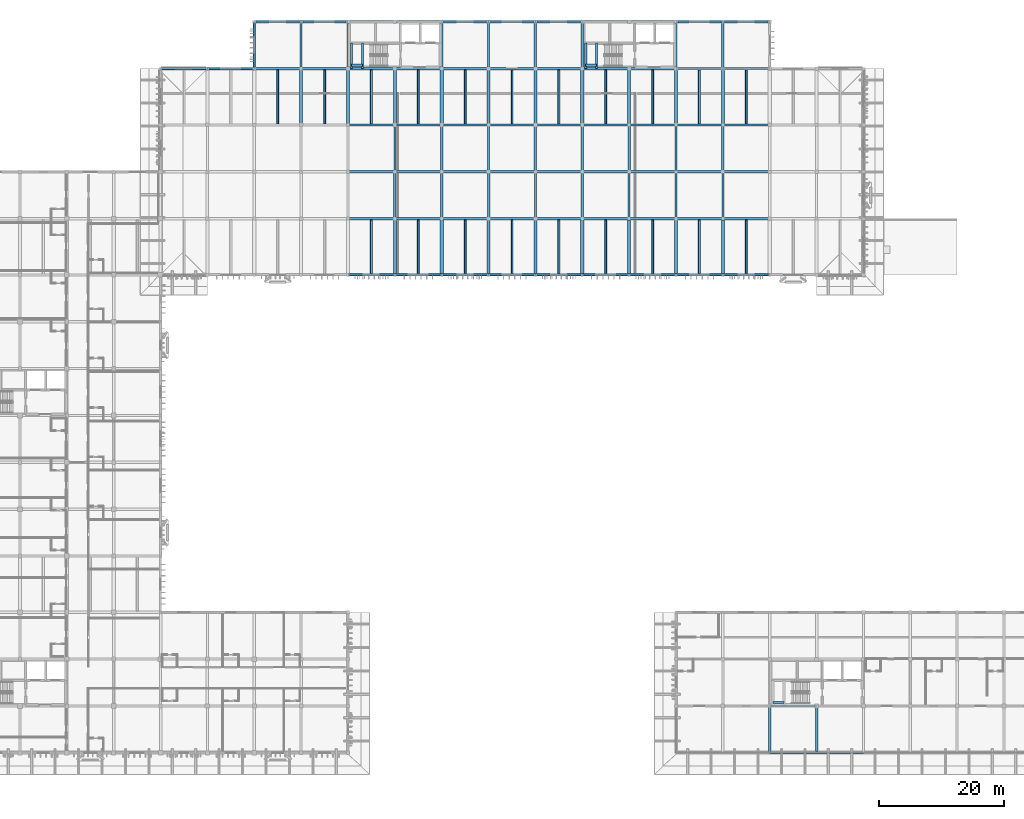
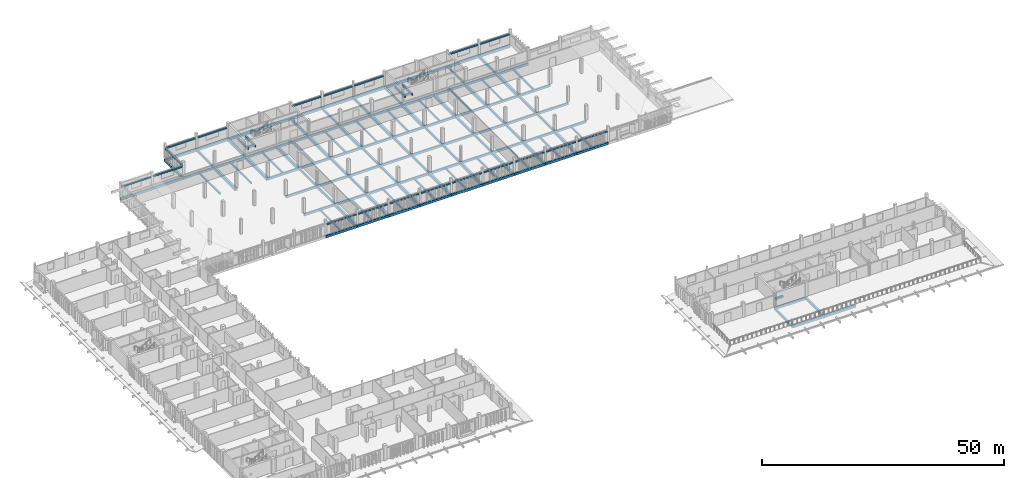
# One storey, part 9 of 43: 154 beams.
"""IFC4 building model written with IfcOpenShell, lengths in metres."""

from ifc_helpers import new_model, si_unit, direction, frame, origin, origin_2d, place, context, subcontext, project, spatial, rectangle, extrude, material, material_profile, profile_set, type_object, element, save


model = new_model("IFC4")

# Units and contexts
model_context = context("Model", 3, precision=1e-05, world=origin(), true_north=direction((0.0, 1.0)))
body_context = subcontext(model_context, "Body", "Model", "MODEL_VIEW")
ifc_project = project(units=[si_unit("LENGTHUNIT", "METRE"), si_unit("AREAUNIT", "SQUARE_METRE"), si_unit("VOLUMEUNIT", "CUBIC_METRE"), si_unit("PLANEANGLEUNIT", "RADIAN"), si_unit("MASSUNIT", "GRAM", prefix="KILO")], contexts=[model_context])

# Site, building, storey
site_placement = place(None, origin())
site = spatial("IfcSite", under=ifc_project, at=site_placement, CompositionType="ELEMENT")
building_placement = place(site_placement, origin())
building = spatial("IfcBuilding", under=site, at=building_placement, Name="Dalvernix Boulevard General Hospital", CompositionType="ELEMENT")
storey_placement = place(building_placement, frame((0.0, 0.0, 14.10009765625)))
storey = spatial("IfcBuildingStorey", under=building, at=storey_placement, Name="L03", CompositionType="ELEMENT", Elevation=14.10009765625)

# Beams
ifc_material_1 = material(Name="Concrete C35/45", Category="concrete")
ifc_material_profile_1 = material_profile(ifc_material_1, rectangle(XDim=0.5, YDim=0.699951171875, at=origin_2d()), Name="RCB 500x700")
ifc_profile_set_1 = profile_set([ifc_material_profile_1], Name="Concrete C35/45")
beam_type_1 = type_object("IfcBeamType", Name="BM-B-01-I", PredefinedType="BEAM", material=ifc_profile_set_1)
for number, where, z_axis, x_axis, name in (
    (1, (52.5, 100.5, -0.60009765625), (0.0, 1.0, 0.0), (-1.0, 0.0, 0.0), "L03 N-S girder 8:P-Q"),
    (2, (60.0, 100.5, -0.60009765625), (0.0, 1.0, 0.0), (-1.0, 0.0, 0.0), "L03 N-S girder 9:P-Q"),
    (3, (67.5, 76.5, -0.60009765625), (0.0, 1.0, 0.0), (-1.0, 0.0, 0.0), "L03 N-S girder 10:L-M"),
    (4, (67.5, 100.5, -0.60009765625), (0.0, 1.0, 0.0), (-1.0, 0.0, 0.0), "L03 N-S girder 10:P-Q"),
    (5, (75.0, 76.5, -0.60009765625), (0.0, 1.0, 0.0), (-1.0, 0.0, 0.0), "L03 N-S girder 11:L-M"),
    (6, (75.0, 100.5, -0.60009765625), (0.0, 1.0, 0.0), (-1.0, 0.0, 0.0), "L03 N-S girder 11:P-Q"),
    (7, (82.5, 76.5, -0.60009765625), (0.0, 1.0, 0.0), (-1.0, 0.0, 0.0), "L03 N-S girder 12:L-M"),
    (8, (82.5, 100.5, -0.60009765625), (0.0, 1.0, 0.0), (-1.0, 0.0, 0.0), "L03 N-S girder 12:P-Q"),
    (9, (90.0, 76.5, -0.60009765625), (0.0, 1.0, 0.0), (-1.0, 0.0, 0.0), "L03 N-S girder 13:L-M"),
    (10, (90.0, 100.5, -0.60009765625), (0.0, 1.0, 0.0), (-1.0, 0.0, 0.0), "L03 N-S girder 13:P-Q"),
    (11, (97.5, 76.5, -0.60009765625), (0.0, 1.0, 0.0), (-1.0, 0.0, 0.0), "L03 N-S girder 14:L-M"),
    (12, (97.5, 100.5, -0.60009765625), (0.0, 1.0, 0.0), (-1.0, 0.0, 0.0), "L03 N-S girder 14:P-Q"),
    (13, (105.0, 76.5, -0.60009765625), (0.0, 1.0, 0.0), (-1.0, 0.0, 0.0), "L03 N-S girder 15:L-M"),
    (14, (105.0, 100.5, -0.60009765625), (0.0, 1.0, 0.0), (-1.0, 0.0, 0.0), "L03 N-S girder 15:P-Q"),
    (15, (112.5, 76.5, -0.60009765625), (0.0, 1.0, 0.0), (-1.0, 0.0, 0.0), "L03 N-S girder 16:L-M"),
    (16, (112.5, 100.5, -0.60009765625), (0.0, 1.0, 0.0), (-1.0, 0.0, 0.0), "L03 N-S girder 16:P-Q"),
    (17, (120.0, 76.5, -0.60009765625), (0.0, 1.0, 0.0), (-1.0, 0.0, 0.0), "L03 N-S girder 17:L-M"),
    (18, (120.0, 100.5, -0.60009765625), (0.0, 1.0, 0.0), (-1.0, 0.0, 0.0), "L03 N-S girder 17:P-Q"),
):
    element("IfcBeam", number, at=place(storey_placement, frame(where, z_axis=z_axis, x_axis=x_axis)), inside=storey, type_object=beam_type_1, Name=name, PredefinedType="BEAM", context=body_context, shape_type="SweptSolid", body=[
        extrude(rectangle(XDim=0.5, YDim=0.699951171875, at=origin_2d()), origin(), (0.0, 0.0, 1.0), 9.0),
    ])
ifc_material_profile_2 = material_profile(ifc_material_1, rectangle(XDim=0.39990234375, YDim=0.550048828125, at=origin_2d()), Name="RCB 400x550")
ifc_profile_set_2 = profile_set([ifc_material_profile_2], Name="Concrete C35/45")
beam_type_2 = type_object("IfcBeamType", Name="BM-B-06-I", PredefinedType="BEAM", material=ifc_profile_set_2)
for number, where, z_axis, x_axis, name in (
    (19, (60.0, 109.5, -0.525146484375), (0.0, 1.0, 0.0), (-1.0, 0.0, 0.0), "L03 N-S girder 9:Q-R"),
    (20, (67.5, 85.5, -0.525146484375), (0.0, 1.0, 0.0), (-1.0, 0.0, 0.0), "L03 N-S girder 10:M-N"),
    (21, (75.0, 93.0, -0.525146484375), (0.0, 1.0, 0.0), (-1.0, 0.0, 0.0), "L03 N-S girder 11:N-P"),
    (22, (75.0, 109.5, -0.525146484375), (0.0, 1.0, 0.0), (-1.0, 0.0, 0.0), "L03 N-S girder 11:Q-R"),
    (23, (82.5, 85.5, -0.525146484375), (0.0, 1.0, 0.0), (-1.0, 0.0, 0.0), "L03 N-S girder 12:M-N"),
    (24, (90.0, 93.0, -0.525146484375), (0.0, 1.0, 0.0), (-1.0, 0.0, 0.0), "L03 N-S girder 13:N-P"),
    (25, (90.0, 109.5, -0.525146484375), (0.0, 1.0, 0.0), (-1.0, 0.0, 0.0), "L03 N-S girder 13:Q-R"),
    (26, (97.5, 85.5, -0.525146484375), (0.0, 1.0, 0.0), (-1.0, 0.0, 0.0), "L03 N-S girder 14:M-N"),
    (27, (105.0, 93.0, -0.525146484375), (0.0, 1.0, 0.0), (-1.0, 0.0, 0.0), "L03 N-S girder 15:N-P"),
    (28, (112.5, 85.5, -0.525146484375), (0.0, 1.0, 0.0), (-1.0, 0.0, 0.0), "L03 N-S girder 16:M-N"),
    (29, (120.0, 93.0, -0.525146484375), (0.0, 1.0, 0.0), (-1.0, 0.0, 0.0), "L03 N-S girder 17:N-P"),
    (30, (120.0, 109.5, -0.525146484375), (0.0, 1.0, 0.0), (-1.0, 0.0, 0.0), "L03 N-S girder 17:Q-R"),
    (31, (135.0, 0.0, -0.525146484375), (0.0, 1.0, 0.0), (-1.0, 0.0, 0.0), "L03 N-S girder 19:A-B"),
):
    element("IfcBeam", number, at=place(storey_placement, frame(where, z_axis=z_axis, x_axis=x_axis)), inside=storey, type_object=beam_type_2, Name=name, PredefinedType="BEAM", context=body_context, shape_type="SweptSolid", body=[
        extrude(rectangle(XDim=0.39990234375, YDim=0.550048828125, at=origin_2d()), origin(), (0.0, 0.0, 1.0), 7.5),
    ])
ifc_material_profile_3 = material_profile(ifc_material_1, rectangle(XDim=0.35009765625, YDim=0.550048828125, at=origin_2d()), Name="RCB 350x550")
ifc_profile_set_3 = profile_set([ifc_material_profile_3], Name="Concrete C35/45")
beam_type_3 = type_object("IfcBeamType", Name="BM-B-07-I", PredefinedType="BEAM", material=ifc_profile_set_3)
for number, where, z_axis, x_axis, name in (
    (32, (127.5, 7.5, -0.525146484375), (1.0, 0.0, 0.0), (0.0, 1.0, 0.0), "L03 E-W girder B:18-19"),
    (33, (60.0, 85.5, -0.525146484375), (1.0, 0.0, 0.0), (0.0, 1.0, 0.0), "L03 E-W girder M:9-10"),
    (34, (67.5, 85.5, -0.525146484375), (1.0, 0.0, 0.0), (0.0, 1.0, 0.0), "L03 E-W girder M:10-11"),
    (35, (75.0, 85.5, -0.525146484375), (1.0, 0.0, 0.0), (0.0, 1.0, 0.0), "L03 E-W girder M:11-12"),
    (36, (82.5, 85.5, -0.525146484375), (1.0, 0.0, 0.0), (0.0, 1.0, 0.0), "L03 E-W girder M:12-13"),
    (37, (90.0, 85.5, -0.525146484375), (1.0, 0.0, 0.0), (0.0, 1.0, 0.0), "L03 E-W girder M:13-14"),
    (38, (97.5, 85.5, -0.525146484375), (1.0, 0.0, 0.0), (0.0, 1.0, 0.0), "L03 E-W girder M:14-15"),
    (39, (105.0, 85.5, -0.525146484375), (1.0, 0.0, 0.0), (0.0, 1.0, 0.0), "L03 E-W girder M:15-16"),
    (40, (112.5, 85.5, -0.525146484375), (1.0, 0.0, 0.0), (0.0, 1.0, 0.0), "L03 E-W girder M:16-17"),
    (41, (120.0, 85.5, -0.525146484375), (1.0, 0.0, 0.0), (0.0, 1.0, 0.0), "L03 E-W girder M:17-18"),
    (42, (60.0, 93.0, -0.525146484375), (1.0, 0.0, 0.0), (0.0, 1.0, 0.0), "L03 E-W girder N:9-10"),
    (43, (67.5, 93.0, -0.525146484375), (1.0, 0.0, 0.0), (0.0, 1.0, 0.0), "L03 E-W girder N:10-11"),
    (44, (75.0, 93.0, -0.525146484375), (1.0, 0.0, 0.0), (0.0, 1.0, 0.0), "L03 E-W girder N:11-12"),
    (45, (82.5, 93.0, -0.525146484375), (1.0, 0.0, 0.0), (0.0, 1.0, 0.0), "L03 E-W girder N:12-13"),
    (46, (90.0, 93.0, -0.525146484375), (1.0, 0.0, 0.0), (0.0, 1.0, 0.0), "L03 E-W girder N:13-14"),
    (47, (97.5, 93.0, -0.525146484375), (1.0, 0.0, 0.0), (0.0, 1.0, 0.0), "L03 E-W girder N:14-15"),
    (48, (105.0, 93.0, -0.525146484375), (1.0, 0.0, 0.0), (0.0, 1.0, 0.0), "L03 E-W girder N:15-16"),
    (49, (112.5, 93.0, -0.525146484375), (1.0, 0.0, 0.0), (0.0, 1.0, 0.0), "L03 E-W girder N:16-17"),
    (50, (120.0, 93.0, -0.525146484375), (1.0, 0.0, 0.0), (0.0, 1.0, 0.0), "L03 E-W girder N:17-18"),
    (51, (60.0, 100.5, -0.525146484375), (1.0, 0.0, 0.0), (0.0, 1.0, 0.0), "L03 E-W girder P:9-10"),
    (52, (67.5, 100.5, -0.525146484375), (1.0, 0.0, 0.0), (0.0, 1.0, 0.0), "L03 E-W girder P:10-11"),
    (53, (75.0, 100.5, -0.525146484375), (1.0, 0.0, 0.0), (0.0, 1.0, 0.0), "L03 E-W girder P:11-12"),
    (54, (82.5, 100.5, -0.525146484375), (1.0, 0.0, 0.0), (0.0, 1.0, 0.0), "L03 E-W girder P:12-13"),
    (55, (90.0, 100.5, -0.525146484375), (1.0, 0.0, 0.0), (0.0, 1.0, 0.0), "L03 E-W girder P:13-14"),
    (56, (97.5, 100.5, -0.525146484375), (1.0, 0.0, 0.0), (0.0, 1.0, 0.0), "L03 E-W girder P:14-15"),
    (57, (105.0, 100.5, -0.525146484375), (1.0, 0.0, 0.0), (0.0, 1.0, 0.0), "L03 E-W girder P:15-16"),
    (58, (112.5, 100.5, -0.525146484375), (1.0, 0.0, 0.0), (0.0, 1.0, 0.0), "L03 E-W girder P:16-17"),
    (59, (120.0, 100.5, -0.525146484375), (1.0, 0.0, 0.0), (0.0, 1.0, 0.0), "L03 E-W girder P:17-18"),
    (60, (45.0, 109.5, -0.525146484375), (1.0, 0.0, 0.0), (0.0, 1.0, 0.0), "L03 E-W girder Q:7-8"),
    (61, (52.5, 109.5, -0.525146484375), (1.0, 0.0, 0.0), (0.0, 1.0, 0.0), "L03 E-W girder Q:8-9"),
    (62, (60.0, 109.5, -0.525146484375), (1.0, 0.0, 0.0), (0.0, 1.0, 0.0), "L03 E-W girder Q:9-10"),
    (63, (67.5, 109.5, -0.525146484375), (1.0, 0.0, 0.0), (0.0, 1.0, 0.0), "L03 E-W girder Q:10-11"),
    (64, (75.0, 109.5, -0.525146484375), (1.0, 0.0, 0.0), (0.0, 1.0, 0.0), "L03 E-W girder Q:11-12"),
    (65, (82.5, 109.5, -0.525146484375), (1.0, 0.0, 0.0), (0.0, 1.0, 0.0), "L03 E-W girder Q:12-13"),
    (66, (90.0, 109.5, -0.525146484375), (1.0, 0.0, 0.0), (0.0, 1.0, 0.0), "L03 E-W girder Q:13-14"),
    (67, (97.5, 109.5, -0.525146484375), (1.0, 0.0, 0.0), (0.0, 1.0, 0.0), "L03 E-W girder Q:14-15"),
    (68, (105.0, 109.5, -0.525146484375), (1.0, 0.0, 0.0), (0.0, 1.0, 0.0), "L03 E-W girder Q:15-16"),
    (69, (112.5, 109.5, -0.525146484375), (1.0, 0.0, 0.0), (0.0, 1.0, 0.0), "L03 E-W girder Q:16-17"),
    (70, (120.0, 109.5, -0.525146484375), (1.0, 0.0, 0.0), (0.0, 1.0, 0.0), "L03 E-W girder Q:17-18"),
):
    element("IfcBeam", number, at=place(storey_placement, frame(where, z_axis=z_axis, x_axis=x_axis)), inside=storey, type_object=beam_type_3, Name=name, PredefinedType="BEAM", context=body_context, shape_type="SweptSolid", body=[
        extrude(rectangle(XDim=0.35009765625, YDim=0.550048828125, at=origin_2d()), origin(), (0.0, 0.0, 1.0), 7.5),
    ])
ifc_material_profile_4 = material_profile(ifc_material_1, rectangle(XDim=0.35009765625, YDim=0.5, at=origin_2d()), Name="RCB 350x500")
ifc_profile_set_4 = profile_set([ifc_material_profile_4], Name="Concrete C35/45")
beam_type_4 = type_object("IfcBeamType", Name="BM-B-08", PredefinedType="BEAM", material=ifc_profile_set_4)
for number, where, z_axis, x_axis, name in (
    (71, (60.550048828125, 109.5, 1.4248046875), (0.0, 1.0, 0.0), (-1.0, 0.0, 0.0), "L03 C3 stair half-landing beam 1"),
    (72, (62.300048828125, 109.5, 1.4248046875), (0.0, 1.0, 0.0), (-1.0, 0.0, 0.0), "L03 C3 stair half-landing beam 2"),
):
    element("IfcBeam", number, at=place(storey_placement, frame(where, z_axis=z_axis, x_axis=x_axis)), inside=storey, type_object=beam_type_4, Name=name, PredefinedType="BEAM", context=body_context, shape_type="SweptSolid", body=[
        extrude(rectangle(XDim=0.35009765625, YDim=0.5, at=origin_2d()), origin(), (0.0, 0.0, 1.0), 4.10009765625),
    ])
beam_1_placement = place(storey_placement, frame((60.550048828125, 110.050048828125, 1.4248046875), z_axis=(1.0, 0.0, 0.0), x_axis=(0.0, 1.0, 0.0)))
element("IfcBeam", 73, at=beam_1_placement, inside=storey, type_object=beam_type_4, Name="L03 C3 stair half-landing tie beam", PredefinedType="BEAM", context=body_context, shape_type="SweptSolid", body=[
    extrude(rectangle(XDim=0.35009765625, YDim=0.5, at=origin_2d()), origin(), (0.0, 0.0, 1.0), 1.75),
])
for number, where, z_axis, x_axis, name in (
    (74, (98.050048828125, 109.5, 1.4248046875), (0.0, 1.0, 0.0), (-1.0, 0.0, 0.0), "L03 C4 stair half-landing beam 1"),
    (75, (99.800048828125, 109.5, 1.4248046875), (0.0, 1.0, 0.0), (-1.0, 0.0, 0.0), "L03 C4 stair half-landing beam 2"),
):
    element("IfcBeam", number, at=place(storey_placement, frame(where, z_axis=z_axis, x_axis=x_axis)), inside=storey, type_object=beam_type_4, Name=name, PredefinedType="BEAM", context=body_context, shape_type="SweptSolid", body=[
        extrude(rectangle(XDim=0.35009765625, YDim=0.5, at=origin_2d()), origin(), (0.0, 0.0, 1.0), 4.10009765625),
    ])
for number, where, z_axis, x_axis, name in (
    (76, (98.050048828125, 110.050048828125, 1.4248046875), (1.0, 0.0, 0.0), (0.0, 1.0, 0.0), "L03 C4 stair half-landing tie beam"),
    (77, (128.050048828125, 8.050048828125, 1.4248046875), (1.0, 0.0, 0.0), (0.0, 1.0, 0.0), "L03 C5 stair half-landing tie beam"),
):
    element("IfcBeam", number, at=place(storey_placement, frame(where, z_axis=z_axis, x_axis=x_axis)), inside=storey, type_object=beam_type_4, Name=name, PredefinedType="BEAM", context=body_context, shape_type="SweptSolid", body=[
        extrude(rectangle(XDim=0.35009765625, YDim=0.5, at=origin_2d()), origin(), (0.0, 0.0, 1.0), 1.75),
    ])
ifc_material_profile_5 = material_profile(ifc_material_1, rectangle(XDim=0.35009765625, YDim=0.5, at=origin_2d()), Name="RCB 350x500")
ifc_profile_set_5 = profile_set([ifc_material_profile_5], Name="Concrete C35/45")
beam_type_5 = type_object("IfcBeamType", Name="BM-B-08-I", PredefinedType="BEAM", material=ifc_profile_set_5)
for number, where, z_axis, x_axis, name in (
    (78, (52.5, 109.5, -0.5), (0.0, 1.0, 0.0), (-1.0, 0.0, 0.0), "L03 N-S girder 8:Q-R"),
    (79, (67.5, 93.0, -0.5), (0.0, 1.0, 0.0), (-1.0, 0.0, 0.0), "L03 N-S girder 10:N-P"),
    (80, (75.0, 85.5, -0.5), (0.0, 1.0, 0.0), (-1.0, 0.0, 0.0), "L03 N-S girder 11:M-N"),
    (81, (82.5, 93.0, -0.5), (0.0, 1.0, 0.0), (-1.0, 0.0, 0.0), "L03 N-S girder 12:N-P"),
    (82, (82.5, 109.5, -0.5), (0.0, 1.0, 0.0), (-1.0, 0.0, 0.0), "L03 N-S girder 12:Q-R"),
    (83, (90.0, 85.5, -0.5), (0.0, 1.0, 0.0), (-1.0, 0.0, 0.0), "L03 N-S girder 13:M-N"),
    (84, (97.5, 93.0, -0.5), (0.0, 1.0, 0.0), (-1.0, 0.0, 0.0), "L03 N-S girder 14:N-P"),
    (85, (97.5, 109.5, -0.5), (0.0, 1.0, 0.0), (-1.0, 0.0, 0.0), "L03 N-S girder 14:Q-R"),
    (86, (105.0, 85.5, -0.5), (0.0, 1.0, 0.0), (-1.0, 0.0, 0.0), "L03 N-S girder 15:M-N"),
    (87, (112.5, 93.0, -0.5), (0.0, 1.0, 0.0), (-1.0, 0.0, 0.0), "L03 N-S girder 16:N-P"),
    (88, (112.5, 109.5, -0.5), (0.0, 1.0, 0.0), (-1.0, 0.0, 0.0), "L03 N-S girder 16:Q-R"),
    (89, (120.0, 85.5, -0.5), (0.0, 1.0, 0.0), (-1.0, 0.0, 0.0), "L03 N-S girder 17:M-N"),
    (90, (127.5, 0.0, -0.5), (0.0, 1.0, 0.0), (-1.0, 0.0, 0.0), "L03 N-S girder 18:A-B"),
):
    element("IfcBeam", number, at=place(storey_placement, frame(where, z_axis=z_axis, x_axis=x_axis)), inside=storey, type_object=beam_type_5, Name=name, PredefinedType="BEAM", context=body_context, shape_type="SweptSolid", body=[
        extrude(rectangle(XDim=0.35009765625, YDim=0.5, at=origin_2d()), origin(), (0.0, 0.0, 1.0), 7.5),
    ])
ifc_material_profile_6 = material_profile(ifc_material_1, rectangle(XDim=0.300048828125, YDim=0.39990234375, at=origin_2d()), Name="RCB 300x400")
ifc_profile_set_6 = profile_set([ifc_material_profile_6], Name="Concrete C35/45")
beam_type_6 = type_object("IfcBeamType", Name="BM-JB-01", PredefinedType="JOIST", material=ifc_profile_set_6)
for number, where, z_axis, x_axis, name in (
    (91, (48.75, 100.675048828125, -0.4501953125), (0.0, 1.0, 0.0), (-1.0, 0.0, 0.0), "L03 secondary floor beam 7-P"),
    (92, (56.25, 100.675048828125, -0.4501953125), (0.0, 1.0, 0.0), (-1.0, 0.0, 0.0), "L03 secondary floor beam 8-P"),
):
    element("IfcBeam", number, at=place(storey_placement, frame(where, z_axis=z_axis, x_axis=x_axis)), inside=storey, type_object=beam_type_6, Name=name, PredefinedType="JOIST", context=body_context, shape_type="SweptSolid", body=[
        extrude(rectangle(XDim=0.300048828125, YDim=0.39990234375, at=origin_2d()), origin(), (0.0, 0.0, 1.0), 8.64990234375),
    ])
beam_2_placement = place(storey_placement, frame((63.75, 76.699951171875, -0.4501953125), z_axis=(0.0, 1.0, 0.0), x_axis=(-1.0, 0.0, 0.0)))
element("IfcBeam", 93, at=beam_2_placement, inside=storey, type_object=beam_type_6, Name="L03 secondary floor beam 9-L", PredefinedType="JOIST", context=body_context, shape_type="SweptSolid", body=[
    extrude(rectangle(XDim=0.300048828125, YDim=0.39990234375, at=origin_2d()), origin(), (0.0, 0.0, 1.0), 8.625),
])
beam_3_placement = place(storey_placement, frame((63.75, 100.675048828125, -0.4501953125), z_axis=(0.0, 1.0, 0.0), x_axis=(-1.0, 0.0, 0.0)))
element("IfcBeam", 94, at=beam_3_placement, inside=storey, type_object=beam_type_6, Name="L03 secondary floor beam 9-P", PredefinedType="JOIST", context=body_context, shape_type="SweptSolid", body=[
    extrude(rectangle(XDim=0.300048828125, YDim=0.39990234375, at=origin_2d()), origin(), (0.0, 0.0, 1.0), 8.64990234375),
])
beam_4_placement = place(storey_placement, frame((71.25, 76.699951171875, -0.4501953125), z_axis=(0.0, 1.0, 0.0), x_axis=(-1.0, 0.0, 0.0)))
element("IfcBeam", 95, at=beam_4_placement, inside=storey, type_object=beam_type_6, Name="L03 secondary floor beam 10-L", PredefinedType="JOIST", context=body_context, shape_type="SweptSolid", body=[
    extrude(rectangle(XDim=0.300048828125, YDim=0.39990234375, at=origin_2d()), origin(), (0.0, 0.0, 1.0), 8.625),
])
beam_5_placement = place(storey_placement, frame((71.25, 100.675048828125, -0.4501953125), z_axis=(0.0, 1.0, 0.0), x_axis=(-1.0, 0.0, 0.0)))
element("IfcBeam", 96, at=beam_5_placement, inside=storey, type_object=beam_type_6, Name="L03 secondary floor beam 10-P", PredefinedType="JOIST", context=body_context, shape_type="SweptSolid", body=[
    extrude(rectangle(XDim=0.300048828125, YDim=0.39990234375, at=origin_2d()), origin(), (0.0, 0.0, 1.0), 8.64990234375),
])
beam_6_placement = place(storey_placement, frame((78.75, 76.699951171875, -0.4501953125), z_axis=(0.0, 1.0, 0.0), x_axis=(-1.0, 0.0, 0.0)))
element("IfcBeam", 97, at=beam_6_placement, inside=storey, type_object=beam_type_6, Name="L03 secondary floor beam 11-L", PredefinedType="JOIST", context=body_context, shape_type="SweptSolid", body=[
    extrude(rectangle(XDim=0.300048828125, YDim=0.39990234375, at=origin_2d()), origin(), (0.0, 0.0, 1.0), 8.625),
])
beam_7_placement = place(storey_placement, frame((78.75, 100.675048828125, -0.4501953125), z_axis=(0.0, 1.0, 0.0), x_axis=(-1.0, 0.0, 0.0)))
element("IfcBeam", 98, at=beam_7_placement, inside=storey, type_object=beam_type_6, Name="L03 secondary floor beam 11-P", PredefinedType="JOIST", context=body_context, shape_type="SweptSolid", body=[
    extrude(rectangle(XDim=0.300048828125, YDim=0.39990234375, at=origin_2d()), origin(), (0.0, 0.0, 1.0), 8.64990234375),
])
beam_8_placement = place(storey_placement, frame((86.25, 76.699951171875, -0.4501953125), z_axis=(0.0, 1.0, 0.0), x_axis=(-1.0, 0.0, 0.0)))
element("IfcBeam", 99, at=beam_8_placement, inside=storey, type_object=beam_type_6, Name="L03 secondary floor beam 12-L", PredefinedType="JOIST", context=body_context, shape_type="SweptSolid", body=[
    extrude(rectangle(XDim=0.300048828125, YDim=0.39990234375, at=origin_2d()), origin(), (0.0, 0.0, 1.0), 8.625),
])
beam_9_placement = place(storey_placement, frame((86.25, 100.675048828125, -0.4501953125), z_axis=(0.0, 1.0, 0.0), x_axis=(-1.0, 0.0, 0.0)))
element("IfcBeam", 100, at=beam_9_placement, inside=storey, type_object=beam_type_6, Name="L03 secondary floor beam 12-P", PredefinedType="JOIST", context=body_context, shape_type="SweptSolid", body=[
    extrude(rectangle(XDim=0.300048828125, YDim=0.39990234375, at=origin_2d()), origin(), (0.0, 0.0, 1.0), 8.64990234375),
])
beam_10_placement = place(storey_placement, frame((93.75, 76.699951171875, -0.4501953125), z_axis=(0.0, 1.0, 0.0), x_axis=(-1.0, 0.0, 0.0)))
element("IfcBeam", 101, at=beam_10_placement, inside=storey, type_object=beam_type_6, Name="L03 secondary floor beam 13-L", PredefinedType="JOIST", context=body_context, shape_type="SweptSolid", body=[
    extrude(rectangle(XDim=0.300048828125, YDim=0.39990234375, at=origin_2d()), origin(), (0.0, 0.0, 1.0), 8.625),
])
beam_11_placement = place(storey_placement, frame((93.75, 100.675048828125, -0.4501953125), z_axis=(0.0, 1.0, 0.0), x_axis=(-1.0, 0.0, 0.0)))
element("IfcBeam", 102, at=beam_11_placement, inside=storey, type_object=beam_type_6, Name="L03 secondary floor beam 13-P", PredefinedType="JOIST", context=body_context, shape_type="SweptSolid", body=[
    extrude(rectangle(XDim=0.300048828125, YDim=0.39990234375, at=origin_2d()), origin(), (0.0, 0.0, 1.0), 8.64990234375),
])
beam_12_placement = place(storey_placement, frame((101.25, 76.699951171875, -0.4501953125), z_axis=(0.0, 1.0, 0.0), x_axis=(-1.0, 0.0, 0.0)))
element("IfcBeam", 103, at=beam_12_placement, inside=storey, type_object=beam_type_6, Name="L03 secondary floor beam 14-L", PredefinedType="JOIST", context=body_context, shape_type="SweptSolid", body=[
    extrude(rectangle(XDim=0.300048828125, YDim=0.39990234375, at=origin_2d()), origin(), (0.0, 0.0, 1.0), 8.625),
])
beam_13_placement = place(storey_placement, frame((101.25, 100.675048828125, -0.4501953125), z_axis=(0.0, 1.0, 0.0), x_axis=(-1.0, 0.0, 0.0)))
element("IfcBeam", 104, at=beam_13_placement, inside=storey, type_object=beam_type_6, Name="L03 secondary floor beam 14-P", PredefinedType="JOIST", context=body_context, shape_type="SweptSolid", body=[
    extrude(rectangle(XDim=0.300048828125, YDim=0.39990234375, at=origin_2d()), origin(), (0.0, 0.0, 1.0), 8.64990234375),
])
beam_14_placement = place(storey_placement, frame((108.75, 76.699951171875, -0.4501953125), z_axis=(0.0, 1.0, 0.0), x_axis=(-1.0, 0.0, 0.0)))
element("IfcBeam", 105, at=beam_14_placement, inside=storey, type_object=beam_type_6, Name="L03 secondary floor beam 15-L", PredefinedType="JOIST", context=body_context, shape_type="SweptSolid", body=[
    extrude(rectangle(XDim=0.300048828125, YDim=0.39990234375, at=origin_2d()), origin(), (0.0, 0.0, 1.0), 8.625),
])
beam_15_placement = place(storey_placement, frame((108.75, 100.675048828125, -0.4501953125), z_axis=(0.0, 1.0, 0.0), x_axis=(-1.0, 0.0, 0.0)))
element("IfcBeam", 106, at=beam_15_placement, inside=storey, type_object=beam_type_6, Name="L03 secondary floor beam 15-P", PredefinedType="JOIST", context=body_context, shape_type="SweptSolid", body=[
    extrude(rectangle(XDim=0.300048828125, YDim=0.39990234375, at=origin_2d()), origin(), (0.0, 0.0, 1.0), 8.64990234375),
])
beam_16_placement = place(storey_placement, frame((116.25, 76.699951171875, -0.4501953125), z_axis=(0.0, 1.0, 0.0), x_axis=(-1.0, 0.0, 0.0)))
element("IfcBeam", 107, at=beam_16_placement, inside=storey, type_object=beam_type_6, Name="L03 secondary floor beam 16-L", PredefinedType="JOIST", context=body_context, shape_type="SweptSolid", body=[
    extrude(rectangle(XDim=0.300048828125, YDim=0.39990234375, at=origin_2d()), origin(), (0.0, 0.0, 1.0), 8.625),
])
beam_17_placement = place(storey_placement, frame((116.25, 100.675048828125, -0.4501953125), z_axis=(0.0, 1.0, 0.0), x_axis=(-1.0, 0.0, 0.0)))
element("IfcBeam", 108, at=beam_17_placement, inside=storey, type_object=beam_type_6, Name="L03 secondary floor beam 16-P", PredefinedType="JOIST", context=body_context, shape_type="SweptSolid", body=[
    extrude(rectangle(XDim=0.300048828125, YDim=0.39990234375, at=origin_2d()), origin(), (0.0, 0.0, 1.0), 8.64990234375),
])
beam_18_placement = place(storey_placement, frame((123.75, 76.699951171875, -0.4501953125), z_axis=(0.0, 1.0, 0.0), x_axis=(-1.0, 0.0, 0.0)))
element("IfcBeam", 109, at=beam_18_placement, inside=storey, type_object=beam_type_6, Name="L03 secondary floor beam 17-L", PredefinedType="JOIST", context=body_context, shape_type="SweptSolid", body=[
    extrude(rectangle(XDim=0.300048828125, YDim=0.39990234375, at=origin_2d()), origin(), (0.0, 0.0, 1.0), 8.625),
])
beam_19_placement = place(storey_placement, frame((123.75, 100.675048828125, -0.4501953125), z_axis=(0.0, 1.0, 0.0), x_axis=(-1.0, 0.0, 0.0)))
element("IfcBeam", 110, at=beam_19_placement, inside=storey, type_object=beam_type_6, Name="L03 secondary floor beam 17-P", PredefinedType="JOIST", context=body_context, shape_type="SweptSolid", body=[
    extrude(rectangle(XDim=0.300048828125, YDim=0.39990234375, at=origin_2d()), origin(), (0.0, 0.0, 1.0), 8.64990234375),
])
ifc_material_2 = material(Name="Precast concrete C40/50", Category="concrete")
ifc_material_profile_7 = material_profile(ifc_material_2, rectangle(XDim=0.300048828125, YDim=0.3798828125, at=origin_2d()), Name="RCL 300x380")
ifc_profile_set_7 = profile_set([ifc_material_profile_7], Name="Precast concrete C40/50")
beam_type_7 = type_object("IfcBeamType", Name="BM-LB-02", PredefinedType="LINTEL", material=ifc_profile_set_7)
beam_20_placement = place(storey_placement, frame((30.235107421875, 109.5, 2.489990234375), z_axis=(1.0, 0.0, 0.0), x_axis=(0.0, 1.0, 0.0)))
element("IfcBeam", 111, at=beam_20_placement, inside=storey, type_object=beam_type_7, Name="L03 precast window lintel N 4-14", PredefinedType="LINTEL", context=body_context, shape_type="SweptSolid", body=[
    extrude(rectangle(XDim=0.300048828125, YDim=0.3798828125, at=origin_2d()), origin(), (0.0, 0.0, 1.0), 7.0048828125),
])
for number, where, z_axis, x_axis, name in (
    (112, (37.760009765625, 109.5, 2.489990234375), (1.0, 0.0, 0.0), (0.0, 1.0, 0.0), "L03 precast window lintel N 5-14"),
    (113, (45.260009765625, 117.0, 2.489990234375), (1.0, 0.0, 0.0), (0.0, 1.0, 0.0), "L03 precast window lintel N 6-15"),
    (114, (45.0, 109.784912109375, 2.489990234375), (0.0, 1.0, 0.0), (-1.0, 0.0, 0.0), "L03 precast window lintel W 6-14"),
):
    element("IfcBeam", number, at=place(storey_placement, frame(where, z_axis=z_axis, x_axis=x_axis)), inside=storey, type_object=beam_type_7, Name=name, PredefinedType="LINTEL", context=body_context, shape_type="SweptSolid", body=[
        extrude(rectangle(XDim=0.300048828125, YDim=0.3798828125, at=origin_2d()), origin(), (0.0, 0.0, 1.0), 6.955078125),
    ])
beam_21_placement = place(storey_placement, frame((52.784912109375, 117.0, 2.489990234375), z_axis=(1.0, 0.0, 0.0), x_axis=(0.0, 1.0, 0.0)))
element("IfcBeam", 115, at=beam_21_placement, inside=storey, type_object=beam_type_7, Name="L03 precast window lintel N 7-15", PredefinedType="LINTEL", context=body_context, shape_type="SweptSolid", body=[
    extrude(rectangle(XDim=0.300048828125, YDim=0.3798828125, at=origin_2d()), origin(), (0.0, 0.0, 1.0), 6.905029296875),
])
for number, where, z_axis, x_axis, name in (
    (116, (67.264892578125, 76.5, 2.489990234375), (-1.0, 0.0, 0.0), (0.0, -1.0, 0.0), "L03 precast window lintel S 8-10"),
    (117, (74.764892578125, 76.5, 2.489990234375), (-1.0, 0.0, 0.0), (0.0, -1.0, 0.0), "L03 precast window lintel S 9-10"),
    (118, (82.264892578125, 76.5, 2.489990234375), (-1.0, 0.0, 0.0), (0.0, -1.0, 0.0), "L03 precast window lintel S 10-10"),
):
    element("IfcBeam", number, at=place(storey_placement, frame(where, z_axis=z_axis, x_axis=x_axis)), inside=storey, type_object=beam_type_7, Name=name, PredefinedType="LINTEL", context=body_context, shape_type="SweptSolid", body=[
        extrude(rectangle(XDim=0.300048828125, YDim=0.3798828125, at=origin_2d()), origin(), (0.0, 0.0, 1.0), 7.02978515625),
    ])
beam_22_placement = place(storey_placement, frame((75.31005859375, 117.0, 2.489990234375), z_axis=(1.0, 0.0, 0.0), x_axis=(0.0, 1.0, 0.0)))
element("IfcBeam", 119, at=beam_22_placement, inside=storey, type_object=beam_type_7, Name="L03 precast window lintel N 10-15", PredefinedType="LINTEL", context=body_context, shape_type="SweptSolid", body=[
    extrude(rectangle(XDim=0.300048828125, YDim=0.3798828125, at=origin_2d()), origin(), (0.0, 0.0, 1.0), 6.8798828125),
])
beam_23_placement = place(storey_placement, frame((89.764892578125, 76.5, 2.489990234375), z_axis=(-1.0, 0.0, 0.0), x_axis=(0.0, -1.0, 0.0)))
element("IfcBeam", 120, at=beam_23_placement, inside=storey, type_object=beam_type_7, Name="L03 precast window lintel S 11-10", PredefinedType="LINTEL", context=body_context, shape_type="SweptSolid", body=[
    extrude(rectangle(XDim=0.300048828125, YDim=0.3798828125, at=origin_2d()), origin(), (0.0, 0.0, 1.0), 7.02978515625),
])
beam_24_placement = place(storey_placement, frame((82.81005859375, 117.0, 2.489990234375), z_axis=(1.0, 0.0, 0.0), x_axis=(0.0, 1.0, 0.0)))
element("IfcBeam", 121, at=beam_24_placement, inside=storey, type_object=beam_type_7, Name="L03 precast window lintel N 11-15", PredefinedType="LINTEL", context=body_context, shape_type="SweptSolid", body=[
    extrude(rectangle(XDim=0.300048828125, YDim=0.3798828125, at=origin_2d()), origin(), (0.0, 0.0, 1.0), 6.8798828125),
])
beam_25_placement = place(storey_placement, frame((97.264892578125, 76.5, 2.489990234375), z_axis=(-1.0, 0.0, 0.0), x_axis=(0.0, -1.0, 0.0)))
element("IfcBeam", 122, at=beam_25_placement, inside=storey, type_object=beam_type_7, Name="L03 precast window lintel S 12-10", PredefinedType="LINTEL", context=body_context, shape_type="SweptSolid", body=[
    extrude(rectangle(XDim=0.300048828125, YDim=0.3798828125, at=origin_2d()), origin(), (0.0, 0.0, 1.0), 7.02978515625),
])
beam_26_placement = place(storey_placement, frame((90.31005859375, 117.0, 2.489990234375), z_axis=(1.0, 0.0, 0.0), x_axis=(0.0, 1.0, 0.0)))
element("IfcBeam", 123, at=beam_26_placement, inside=storey, type_object=beam_type_7, Name="L03 precast window lintel N 12-15", PredefinedType="LINTEL", context=body_context, shape_type="SweptSolid", body=[
    extrude(rectangle(XDim=0.300048828125, YDim=0.3798828125, at=origin_2d()), origin(), (0.0, 0.0, 1.0), 6.8798828125),
])
for number, where, z_axis, x_axis, name in (
    (124, (104.764892578125, 76.5, 2.489990234375), (-1.0, 0.0, 0.0), (0.0, -1.0, 0.0), "L03 precast window lintel S 13-10"),
    (125, (112.264892578125, 76.5, 2.489990234375), (-1.0, 0.0, 0.0), (0.0, -1.0, 0.0), "L03 precast window lintel S 14-10"),
    (126, (119.764892578125, 76.5, 2.489990234375), (-1.0, 0.0, 0.0), (0.0, -1.0, 0.0), "L03 precast window lintel S 15-10"),
):
    element("IfcBeam", number, at=place(storey_placement, frame(where, z_axis=z_axis, x_axis=x_axis)), inside=storey, type_object=beam_type_7, Name=name, PredefinedType="LINTEL", context=body_context, shape_type="SweptSolid", body=[
        extrude(rectangle(XDim=0.300048828125, YDim=0.3798828125, at=origin_2d()), origin(), (0.0, 0.0, 1.0), 7.02978515625),
    ])
beam_27_placement = place(storey_placement, frame((112.81005859375, 117.0, 2.489990234375), z_axis=(1.0, 0.0, 0.0), x_axis=(0.0, 1.0, 0.0)))
element("IfcBeam", 127, at=beam_27_placement, inside=storey, type_object=beam_type_7, Name="L03 precast window lintel N 15-15", PredefinedType="LINTEL", context=body_context, shape_type="SweptSolid", body=[
    extrude(rectangle(XDim=0.300048828125, YDim=0.3798828125, at=origin_2d()), origin(), (0.0, 0.0, 1.0), 6.929931640625),
])
beam_28_placement = place(storey_placement, frame((127.264892578125, 76.5, 2.489990234375), z_axis=(-1.0, 0.0, 0.0), x_axis=(0.0, -1.0, 0.0)))
element("IfcBeam", 128, at=beam_28_placement, inside=storey, type_object=beam_type_7, Name="L03 precast window lintel S 16-10", PredefinedType="LINTEL", context=body_context, shape_type="SweptSolid", body=[
    extrude(rectangle(XDim=0.300048828125, YDim=0.3798828125, at=origin_2d()), origin(), (0.0, 0.0, 1.0), 7.02978515625),
])
beam_29_placement = place(storey_placement, frame((120.260009765625, 117.0, 2.489990234375), z_axis=(1.0, 0.0, 0.0), x_axis=(0.0, 1.0, 0.0)))
element("IfcBeam", 129, at=beam_29_placement, inside=storey, type_object=beam_type_7, Name="L03 precast window lintel N 16-15", PredefinedType="LINTEL", context=body_context, shape_type="SweptSolid", body=[
    extrude(rectangle(XDim=0.300048828125, YDim=0.3798828125, at=origin_2d()), origin(), (0.0, 0.0, 1.0), 6.955078125),
])
ifc_material_profile_8 = material_profile(ifc_material_1, rectangle(XDim=0.39990234375, YDim=0.60009765625, at=origin_2d()), Name="RCB 400x600")
ifc_profile_set_8 = profile_set([ifc_material_profile_8], Name="Concrete C35/45")
beam_type_8 = type_object("IfcBeamType", Name="BM-SB-02-E", PredefinedType="SPANDREL", material=ifc_profile_set_8)
for number, where, z_axis, x_axis, name in (
    (130, (127.5, 0.0, -0.550048828125), (1.0, 0.0, 0.0), (0.0, 1.0, 0.0), "L03 E-W girder A:18-19"),
    (131, (135.0, 0.0, -0.550048828125), (1.0, 0.0, 0.0), (0.0, 1.0, 0.0), "L03 E-W girder A:19-20"),
    (132, (60.0, 76.5, -0.550048828125), (1.0, 0.0, 0.0), (0.0, 1.0, 0.0), "L03 E-W girder L:9-10"),
    (133, (67.5, 76.5, -0.550048828125), (1.0, 0.0, 0.0), (0.0, 1.0, 0.0), "L03 E-W girder L:10-11"),
    (134, (75.0, 76.5, -0.550048828125), (1.0, 0.0, 0.0), (0.0, 1.0, 0.0), "L03 E-W girder L:11-12"),
    (135, (82.5, 76.5, -0.550048828125), (1.0, 0.0, 0.0), (0.0, 1.0, 0.0), "L03 E-W girder L:12-13"),
    (136, (90.0, 76.5, -0.550048828125), (1.0, 0.0, 0.0), (0.0, 1.0, 0.0), "L03 E-W girder L:13-14"),
    (137, (97.5, 76.5, -0.550048828125), (1.0, 0.0, 0.0), (0.0, 1.0, 0.0), "L03 E-W girder L:14-15"),
    (138, (105.0, 76.5, -0.550048828125), (1.0, 0.0, 0.0), (0.0, 1.0, 0.0), "L03 E-W girder L:15-16"),
    (139, (112.5, 76.5, -0.550048828125), (1.0, 0.0, 0.0), (0.0, 1.0, 0.0), "L03 E-W girder L:16-17"),
    (140, (120.0, 76.5, -0.550048828125), (1.0, 0.0, 0.0), (0.0, 1.0, 0.0), "L03 E-W girder L:17-18"),
    (141, (30.0, 109.5, -0.550048828125), (1.0, 0.0, 0.0), (0.0, 1.0, 0.0), "L03 E-W girder Q:5-6"),
    (142, (37.5, 109.5, -0.550048828125), (1.0, 0.0, 0.0), (0.0, 1.0, 0.0), "L03 E-W girder Q:6-7"),
    (143, (45.0, 117.0, -0.550048828125), (1.0, 0.0, 0.0), (0.0, 1.0, 0.0), "L03 E-W girder R:7-8"),
    (144, (52.5, 117.0, -0.550048828125), (1.0, 0.0, 0.0), (0.0, 1.0, 0.0), "L03 E-W girder R:8-9"),
    (145, (60.0, 117.0, -0.550048828125), (1.0, 0.0, 0.0), (0.0, 1.0, 0.0), "L03 E-W girder R:9-10"),
    (146, (67.5, 117.0, -0.550048828125), (1.0, 0.0, 0.0), (0.0, 1.0, 0.0), "L03 E-W girder R:10-11"),
    (147, (75.0, 117.0, -0.550048828125), (1.0, 0.0, 0.0), (0.0, 1.0, 0.0), "L03 E-W girder R:11-12"),
    (148, (82.5, 117.0, -0.550048828125), (1.0, 0.0, 0.0), (0.0, 1.0, 0.0), "L03 E-W girder R:12-13"),
    (149, (90.0, 117.0, -0.550048828125), (1.0, 0.0, 0.0), (0.0, 1.0, 0.0), "L03 E-W girder R:13-14"),
    (150, (97.5, 117.0, -0.550048828125), (1.0, 0.0, 0.0), (0.0, 1.0, 0.0), "L03 E-W girder R:14-15"),
    (151, (105.0, 117.0, -0.550048828125), (1.0, 0.0, 0.0), (0.0, 1.0, 0.0), "L03 E-W girder R:15-16"),
    (152, (112.5, 117.0, -0.550048828125), (1.0, 0.0, 0.0), (0.0, 1.0, 0.0), "L03 E-W girder R:16-17"),
    (153, (120.0, 117.0, -0.550048828125), (1.0, 0.0, 0.0), (0.0, 1.0, 0.0), "L03 E-W girder R:17-18"),
    (154, (45.0, 109.5, -0.550048828125), (0.0, 1.0, 0.0), (-1.0, 0.0, 0.0), "L03 N-S girder 7:Q-R"),
):
    element("IfcBeam", number, at=place(storey_placement, frame(where, z_axis=z_axis, x_axis=x_axis)), inside=storey, type_object=beam_type_8, Name=name, PredefinedType="SPANDREL", context=body_context, shape_type="SweptSolid", body=[
        extrude(rectangle(XDim=0.39990234375, YDim=0.60009765625, at=origin_2d()), origin(), (0.0, 0.0, 1.0), 7.5),
    ])

save(model, "model.ifc")
